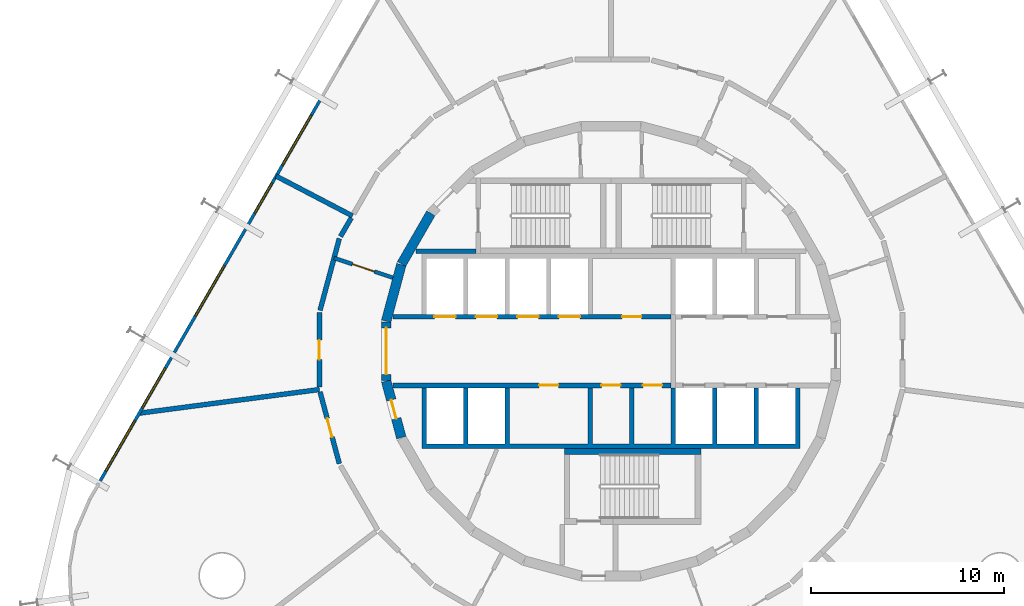
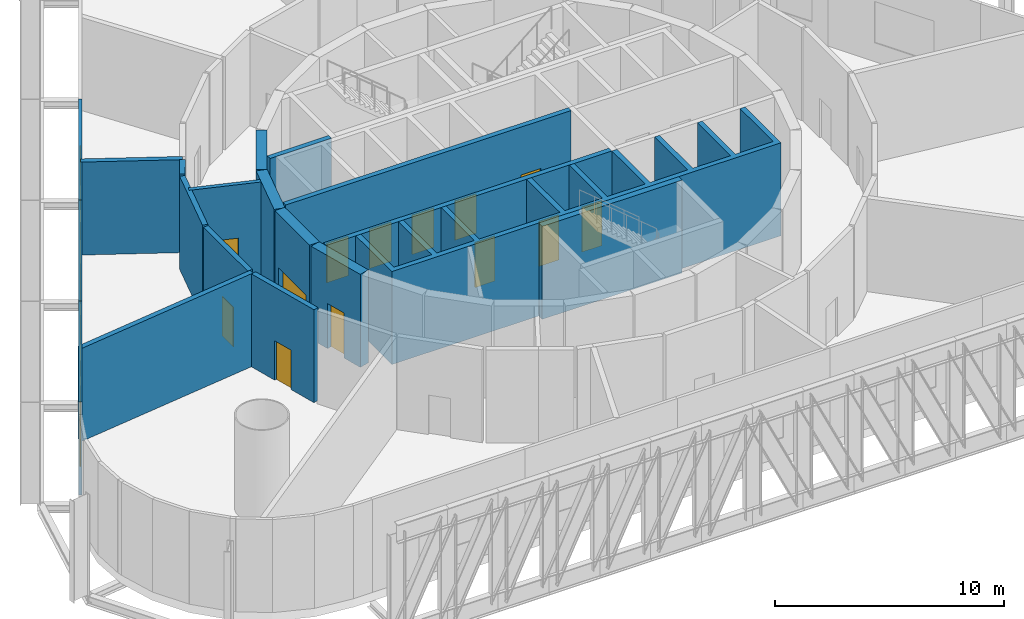
# One storey, part 6 of 11: 19 walls, 13 doors, 5 windows, 18 openings.
"""IFC4 building model written with IfcOpenShell, lengths in metres."""

from ifc_helpers import new_model, si_unit, direction, frame, frame_2d, origin, place, context, subcontext, project, spatial, polyline, rectangle, outline, extrude, material, layer, layer_set, type_object, element, fill, save


model = new_model("IFC4")

# Units and contexts
model_context = context("Model", 3, precision=1e-05, world=origin(), true_north=direction((0.0, 1.0)))
body_context = subcontext(model_context, "Body", "Model", "MODEL_VIEW")
ifc_project = project(units=[si_unit("LENGTHUNIT", "METRE"), si_unit("AREAUNIT", "SQUARE_METRE"), si_unit("VOLUMEUNIT", "CUBIC_METRE"), si_unit("PLANEANGLEUNIT", "RADIAN"), si_unit("MASSUNIT", "GRAM", prefix="KILO")], contexts=[model_context])

# Site, building, storey
site_placement = place(None, origin())
site = spatial("IfcSite", under=ifc_project, at=site_placement, CompositionType="ELEMENT")
building_placement = place(site_placement, origin())
building = spatial("IfcBuilding", under=site, at=building_placement, Name="Spindle Arch Residences", CompositionType="ELEMENT")
storey_placement = place(building_placement, frame((0.0, 0.0, 33.0)))
storey = spatial("IfcBuildingStorey", under=building, at=storey_placement, Name="L06", CompositionType="ELEMENT", Elevation=33.0)

# Walls
ifc_material_1 = material(Name="Concrete C50/60", Category="concrete")
ifc_layer_1 = layer(ifc_material_1, 0.5)
ifc_layer_set_1 = layer_set([ifc_layer_1], Name="Core outline wall 500")
wall_type_1 = type_object("IfcWallType", Name="Core outline wall 500", PredefinedType="SHEAR", material=ifc_layer_set_1)
for number, where, z_axis, x_axis, name in (
    (1, (-9.32861328125, 7.13671875, 0.0), (0.0, 0.0, 1.0), (-0.500087131594, -0.865975092491, 0.0), "Core outline wall 16"),
    (2, (-10.858154296875, 4.479248046875, 0.0), (0.0, 0.0, 1.0), (-0.258734743916, -0.965948410781, 0.0), "Core outline wall 17"),
):
    element("IfcWall", number, at=place(storey_placement, frame(where, z_axis=z_axis, x_axis=x_axis)), inside=storey, type_object=wall_type_1, Name=name, PredefinedType="SHEAR", context=body_context, shape_type="SweptSolid", body=[
        extrude(rectangle(XDim=3.03271484375, YDim=0.5, at=frame_2d((1.516357421875, 0.0))), origin(), (0.0, 0.0, 1.0), 4.949951171875),
    ])

# Wall, opening, door
wall_1_placement = place(storey_placement, frame((-11.647216796875, 1.516357421875, 0.0), z_axis=(0.0, 0.0, 1.0), x_axis=(0.0, -1.0, 0.0)))
wall_1 = element("IfcWall", 3, at=wall_1_placement, inside=storey, type_object=wall_type_1, Name="Core outline wall 18", PredefinedType="SHEAR", context=body_context, shape_type="SweptSolid", body=[
    extrude(rectangle(XDim=3.03271484375, YDim=0.5, at=frame_2d((1.516357421875, 0.0))), origin(), (0.0, 0.0, 1.0), 4.949951171875),
])
opening_1_placement = place(wall_1_placement, frame((0.31640625, 0.0, 0.0)))
opening_1 = element("IfcOpeningElement", 4, at=opening_1_placement, cuts=wall_1, Name="Opening L06-LE01", PredefinedType="OPENING", context=body_context, shape_type="SweptSolid", body=[
    extrude(rectangle(XDim=2.39990234375, YDim=2.10009765625, at=frame_2d((1.199951171875, 1.050048828125))), frame((0.0, 0.260009765625, 0.0), z_axis=(0.0, -1.0, 0.0), x_axis=(1.0, 0.0, 0.0)), (0.0, 0.0, 1.0), 0.52001953125),
])
ifc_material_2 = material(Name="Steel, fire-resisting door", Category="steel")
door_type_1 = type_object("IfcDoorType", Name="Lift lobby entrance door 2400x2100", OperationType="DOUBLE_DOOR_SINGLE_SWING", PredefinedType="DOOR", material=ifc_material_2)
door_1_placement = place(opening_1_placement, origin())
door_1 = element("IfcDoor", 5, at=door_1_placement, inside=storey, type_object=door_type_1, Name="Lift lobby entrance door L06-LE01", OperationType="DOUBLE_DOOR_SINGLE_SWING", OverallHeight=2.10009765625, OverallWidth=2.39990234375, PredefinedType="DOOR", context=body_context, shape_type="SweptSolid", body=[
    extrude(rectangle(XDim=2.39990234375, YDim=2.10009765625, at=frame_2d((1.199951171875, 1.050048828125))), frame((0.0, 0.02490234375, 0.0), z_axis=(0.0, -1.0, 0.0), x_axis=(1.0, 0.0, 0.0)), (0.0, 0.0, 1.0), 0.050048828125),
])
fill(opening_1, door_1)

wall_2_placement = place(storey_placement, frame((-11.642822265625, -1.5498046875, 0.0), z_axis=(0.0, 0.0, 1.0), x_axis=(0.258734743916, -0.965948410781, 0.0)))
wall_2 = element("IfcWall", 6, at=wall_2_placement, inside=storey, type_object=wall_type_1, Name="Core outline wall 19", PredefinedType="SHEAR", context=body_context, shape_type="SweptSolid", body=[
    extrude(rectangle(XDim=3.03271484375, YDim=0.5, at=frame_2d((1.516357421875, 0.0))), origin(), (0.0, 0.0, 1.0), 4.949951171875),
])
opening_2_placement = place(wall_2_placement, frame((1.016357421875, 0.0, 0.0)))
opening_2 = element("IfcOpeningElement", 7, at=opening_2_placement, cuts=wall_2, Name="Opening L06-PD10", PredefinedType="OPENING", context=body_context, shape_type="SweptSolid", body=[
    extrude(rectangle(XDim=1.0, YDim=2.39990234375, at=frame_2d((0.5, 1.199951171875))), frame((0.0, 0.260009765625, 0.0), z_axis=(0.0, -1.0, 0.0), x_axis=(1.0, 0.0, 0.0)), (0.0, 0.0, 1.0), 0.52001953125),
])
ifc_material_3 = material(Name="Steel, fire-resisting door", Category="steel")
door_type_2 = type_object("IfcDoorType", Name="Plant room door 1000x2400", OperationType="SINGLE_SWING_LEFT", PredefinedType="DOOR", material=ifc_material_3)
door_2_placement = place(opening_2_placement, origin())
door_2 = element("IfcDoor", 8, at=door_2_placement, inside=storey, type_object=door_type_2, Name="Plant room door L06-PD10", OperationType="SINGLE_SWING_LEFT", OverallHeight=2.39990234375, OverallWidth=1.0, PredefinedType="DOOR", context=body_context, shape_type="SweptSolid", body=[
    extrude(rectangle(XDim=1.0, YDim=2.39990234375, at=frame_2d((0.5, 1.199951171875))), frame((0.0, 0.02490234375, 0.0), z_axis=(0.0, -1.0, 0.0), x_axis=(1.0, 0.0, 0.0)), (0.0, 0.0, 1.0), 0.050048828125),
])
fill(opening_2, door_2)

# Wall, openings, windows
ifc_material_4 = material(Name="Non-combustible mineral wool insulated aluminium faced external wall (K0)", Category="aluminium")
ifc_layer_2 = layer(ifc_material_4, 0.159912109375)
ifc_layer_set_2 = layer_set([ifc_layer_2], Name="Insulated external wall panel 160")
wall_type_2 = type_object("IfcWallType", Name="Insulated external wall panel 160", PredefinedType="STANDARD", material=ifc_layer_set_2)
wall_3_placement = place(storey_placement, frame((-15.0107421875, 13.1005859375, 0.0), z_axis=(0.0, 0.0, 1.0), x_axis=(-0.500005879718, -0.866022009101, 0.0)))
wall_3 = element("IfcWall", 9, at=wall_3_placement, inside=storey, type_object=wall_type_2, Name="Plant wall L06 bay 16", PredefinedType="STANDARD", context=body_context, shape_type="SweptSolid", body=[
    extrude(rectangle(XDim=7.68017578125, YDim=0.159912109375, at=frame_2d((3.840087890625, 0.0))), origin(), (0.0, 0.0, 1.0), 4.949951171875),
])
opening_3_placement = place(wall_3_placement, frame((1.01708984375, 0.0, 1.0)))
opening_3 = element("IfcOpeningElement", 10, at=opening_3_placement, cuts=wall_3, Name="Opening LW1", PredefinedType="OPENING", context=body_context, shape_type="SweptSolid", body=[
    extrude(rectangle(XDim=3.0, YDim=2.199951171875, at=frame_2d((1.5, 1.10009765625))), frame((0.0, 0.08984375, 0.0), z_axis=(0.0, -1.0, 0.0), x_axis=(1.0, 0.0, 0.0)), (0.0, 0.0, 1.0), 0.179931640625),
])
opening_4_placement = place(wall_3_placement, frame((5.08203125, 0.0, 1.0)))
opening_4 = element("IfcOpeningElement", 11, at=opening_4_placement, cuts=wall_3, Name="Opening LW3", PredefinedType="OPENING", context=body_context, shape_type="SweptSolid", body=[
    extrude(rectangle(XDim=1.800048828125, YDim=2.199951171875, at=frame_2d((0.89990234375, 1.10009765625))), frame((0.0, 0.08984375, 0.0), z_axis=(0.0, -1.0, 0.0), x_axis=(1.0, 0.0, 0.0)), (0.0, 0.0, 1.0), 0.179931640625),
])
ifc_material_5 = material(Name="Bronze anodised aluminium fixed louvre", Category="aluminium")
window_type_1 = type_object("IfcWindowType", Name="Plant louvre opening 1800x2200", PartitioningType="SINGLE_PANEL", PredefinedType="WINDOW", material=ifc_material_5)
window_1_placement = place(opening_4_placement, origin())
window_1 = element("IfcWindow", 12, at=window_1_placement, inside=storey, type_object=window_type_1, Name="Louvre opening L06 bay 16.2", OverallHeight=2.199951171875, OverallWidth=1.800048828125, PartitioningType="SINGLE_PANEL", PredefinedType="WINDOW", context=body_context, shape_type="SweptSolid", body=[
    extrude(rectangle(XDim=1.800048828125, YDim=2.199951171875, at=frame_2d((0.89990234375, 1.10009765625))), frame((0.0, 0.030029296875, 0.0), z_axis=(0.0, -1.0, 0.0), x_axis=(1.0, 0.0, 0.0)), (0.0, 0.0, 1.0), 0.06005859375),
])
fill(opening_4, window_1)
ifc_material_6 = material(Name="Bronze anodised aluminium fixed louvre", Category="aluminium")
window_type_2 = type_object("IfcWindowType", Name="Plant louvre opening 3000x2200", PartitioningType="SINGLE_PANEL", PredefinedType="WINDOW", material=ifc_material_6)
window_2_placement = place(opening_3_placement, origin())
window_2 = element("IfcWindow", 13, at=window_2_placement, inside=storey, type_object=window_type_2, Name="Louvre opening L06 bay 16.1", OverallHeight=2.199951171875, OverallWidth=3.0, PartitioningType="SINGLE_PANEL", PredefinedType="WINDOW", context=body_context, shape_type="SweptSolid", body=[
    extrude(rectangle(XDim=3.0, YDim=2.199951171875, at=frame_2d((1.5, 1.10009765625))), frame((0.0, 0.030029296875, 0.0), z_axis=(0.0, -1.0, 0.0), x_axis=(1.0, 0.0, 0.0)), (0.0, 0.0, 1.0), 0.06005859375),
])
fill(opening_3, window_2)

# Wall, opening, window
wall_4_placement = place(storey_placement, frame((-18.850830078125, 6.449462890625, 0.0), z_axis=(0.0, 0.0, 1.0), x_axis=(-0.499982037744, -0.86603577405, 0.0)))
wall_4 = element("IfcWall", 14, at=wall_4_placement, inside=storey, type_object=wall_type_2, Name="Plant wall L06 bay 17", PredefinedType="STANDARD", context=body_context, shape_type="SweptSolid", body=[
    extrude(rectangle(XDim=7.679931640625, YDim=0.159912109375, at=frame_2d((3.83984375, 0.0))), origin(), (0.0, 0.0, 1.0), 4.949951171875),
])
opening_5_placement = place(wall_4_placement, frame((2.340087890625, 0.0, 1.0)))
opening_5 = element("IfcOpeningElement", 15, at=opening_5_placement, cuts=wall_4, Name="Opening LW1", PredefinedType="OPENING", context=body_context, shape_type="SweptSolid", body=[
    extrude(rectangle(XDim=3.0, YDim=2.199951171875, at=frame_2d((1.5, 1.10009765625))), frame((0.0, 0.08984375, 0.0), z_axis=(0.0, -1.0, 0.0), x_axis=(1.0, 0.0, 0.0)), (0.0, 0.0, 1.0), 0.179931640625),
])
window_3_placement = place(opening_5_placement, origin())
window_3 = element("IfcWindow", 16, at=window_3_placement, inside=storey, type_object=window_type_2, Name="Louvre opening L06 bay 17.1", OverallHeight=2.199951171875, OverallWidth=3.0, PartitioningType="SINGLE_PANEL", PredefinedType="WINDOW", context=body_context, shape_type="SweptSolid", body=[
    extrude(rectangle(XDim=3.0, YDim=2.199951171875, at=frame_2d((1.5, 1.10009765625))), frame((0.0, 0.030029296875, 0.0), z_axis=(0.0, -1.0, 0.0), x_axis=(1.0, 0.0, 0.0)), (0.0, 0.0, 1.0), 0.06005859375),
])
fill(opening_5, window_3)

# Wall, openings, windows
wall_5_placement = place(storey_placement, frame((-22.690673828125, -0.20166015625, 0.0), z_axis=(0.0, 0.0, 1.0), x_axis=(-0.500005879718, -0.866022009101, 0.0)))
wall_5 = element("IfcWall", 17, at=wall_5_placement, inside=storey, type_object=wall_type_2, Name="Plant wall L06 bay 18", PredefinedType="STANDARD", context=body_context, shape_type="SweptSolid", body=[
    extrude(rectangle(XDim=7.68017578125, YDim=0.159912109375, at=frame_2d((3.840087890625, 0.0))), origin(), (0.0, 0.0, 1.0), 4.949951171875),
])
opening_6_placement = place(wall_5_placement, frame((0.772216796875, 0.0, 1.0)))
opening_6 = element("IfcOpeningElement", 18, at=opening_6_placement, cuts=wall_5, Name="Opening LW2", PredefinedType="OPENING", context=body_context, shape_type="SweptSolid", body=[
    extrude(rectangle(XDim=2.39990234375, YDim=2.199951171875, at=frame_2d((1.199951171875, 1.10009765625))), frame((0.0, 0.08984375, 0.0), z_axis=(0.0, -1.0, 0.0), x_axis=(1.0, 0.0, 0.0)), (0.0, 0.0, 1.0), 0.179931640625),
])
opening_7_placement = place(wall_5_placement, frame((3.937255859375, 0.0, 1.0)))
opening_7 = element("IfcOpeningElement", 19, at=opening_7_placement, cuts=wall_5, Name="Opening LW1", PredefinedType="OPENING", context=body_context, shape_type="SweptSolid", body=[
    extrude(rectangle(XDim=3.0, YDim=2.199951171875, at=frame_2d((1.5, 1.10009765625))), frame((0.0, 0.08984375, 0.0), z_axis=(0.0, -1.0, 0.0), x_axis=(1.0, 0.0, 0.0)), (0.0, 0.0, 1.0), 0.179931640625),
])
ifc_material_7 = material(Name="Bronze anodised aluminium fixed louvre", Category="aluminium")
window_type_3 = type_object("IfcWindowType", Name="Plant louvre opening 2400x2200", PartitioningType="SINGLE_PANEL", PredefinedType="WINDOW", material=ifc_material_7)
window_4_placement = place(opening_6_placement, origin())
window_4 = element("IfcWindow", 20, at=window_4_placement, inside=storey, type_object=window_type_3, Name="Louvre opening L06 bay 18.1", OverallHeight=2.199951171875, OverallWidth=2.39990234375, PartitioningType="SINGLE_PANEL", PredefinedType="WINDOW", context=body_context, shape_type="SweptSolid", body=[
    extrude(rectangle(XDim=2.39990234375, YDim=2.199951171875, at=frame_2d((1.199951171875, 1.10009765625))), frame((0.0, 0.030029296875, 0.0), z_axis=(0.0, -1.0, 0.0), x_axis=(1.0, 0.0, 0.0)), (0.0, 0.0, 1.0), 0.06005859375),
])
fill(opening_6, window_4)
window_5_placement = place(opening_7_placement, origin())
window_5 = element("IfcWindow", 21, at=window_5_placement, inside=storey, type_object=window_type_2, Name="Louvre opening L06 bay 18.2", OverallHeight=2.199951171875, OverallWidth=3.0, PartitioningType="SINGLE_PANEL", PredefinedType="WINDOW", context=body_context, shape_type="SweptSolid", body=[
    extrude(rectangle(XDim=3.0, YDim=2.199951171875, at=frame_2d((1.5, 1.10009765625))), frame((0.0, 0.030029296875, 0.0), z_axis=(0.0, -1.0, 0.0), x_axis=(1.0, 0.0, 0.0)), (0.0, 0.0, 1.0), 0.06005859375),
])
fill(opening_7, window_5)

# Wall, openings, doors
ifc_material_8 = material(Name="Concrete C50/60", Category="concrete")
ifc_layer_3 = layer(ifc_material_8, 0.25)
ifc_layer_set_3 = layer_set([ifc_layer_3], Name="Lift shaft wall 250")
wall_type_3 = type_object("IfcWallType", Name="Lift shaft wall 250", PredefinedType="SHEAR", material=ifc_layer_set_3)
wall_6_placement = place(storey_placement, frame((-11.280029296875, 1.77490234375, 0.0), z_axis=(0.0, 0.0, 1.0), x_axis=(1.0, 0.0, 0.0)))
wall_6 = element("IfcWall", 22, at=wall_6_placement, inside=storey, type_object=wall_type_3, Name="Lift shaft front wall NW", PredefinedType="SHEAR", context=body_context, shape_type="SweptSolid", body=[
    extrude(rectangle(XDim=14.380126953125, YDim=0.25, at=frame_2d((7.18994140625, 0.0))), origin(), (0.0, 0.0, 1.0), 4.949951171875),
])
opening_8_placement = place(wall_6_placement, frame((2.1298828125, 0.0, 0.0)))
opening_8 = element("IfcOpeningElement", 23, at=opening_8_placement, cuts=wall_6, Name="Opening L06-LD01", PredefinedType="OPENING", context=body_context, shape_type="SweptSolid", body=[
    extrude(rectangle(XDim=1.10009765625, YDim=2.10009765625, at=frame_2d((0.550048828125, 1.050048828125))), frame((0.0, 0.135009765625, 0.0), z_axis=(0.0, -1.0, 0.0), x_axis=(1.0, 0.0, 0.0)), (0.0, 0.0, 1.0), 0.27001953125),
])
opening_9_placement = place(wall_6_placement, frame((4.280029296875, 0.0, 0.0)))
opening_9 = element("IfcOpeningElement", 24, at=opening_9_placement, cuts=wall_6, Name="Opening L06-LD02", PredefinedType="OPENING", context=body_context, shape_type="SweptSolid", body=[
    extrude(rectangle(XDim=1.10009765625, YDim=2.10009765625, at=frame_2d((0.550048828125, 1.050048828125))), frame((0.0, 0.135009765625, 0.0), z_axis=(0.0, -1.0, 0.0), x_axis=(1.0, 0.0, 0.0)), (0.0, 0.0, 1.0), 0.27001953125),
])
opening_10_placement = place(wall_6_placement, frame((6.429931640625, 0.0, 0.0)))
opening_10 = element("IfcOpeningElement", 25, at=opening_10_placement, cuts=wall_6, Name="Opening L06-LD03", PredefinedType="OPENING", context=body_context, shape_type="SweptSolid", body=[
    extrude(rectangle(XDim=1.10009765625, YDim=2.10009765625, at=frame_2d((0.550048828125, 1.050048828125))), frame((0.0, 0.135009765625, 0.0), z_axis=(0.0, -1.0, 0.0), x_axis=(1.0, 0.0, 0.0)), (0.0, 0.0, 1.0), 0.27001953125),
])
opening_11_placement = place(wall_6_placement, frame((8.580078125, 0.0, 0.0)))
opening_11 = element("IfcOpeningElement", 26, at=opening_11_placement, cuts=wall_6, Name="Opening L06-LD04", PredefinedType="OPENING", context=body_context, shape_type="SweptSolid", body=[
    extrude(rectangle(XDim=1.10009765625, YDim=2.10009765625, at=frame_2d((0.550048828125, 1.050048828125))), frame((0.0, 0.135009765625, 0.0), z_axis=(0.0, -1.0, 0.0), x_axis=(1.0, 0.0, 0.0)), (0.0, 0.0, 1.0), 0.27001953125),
])
opening_12_placement = place(wall_6_placement, frame((11.85498046875, 0.0, 0.0)))
opening_12 = element("IfcOpeningElement", 27, at=opening_12_placement, cuts=wall_6, Name="Opening L06-PD01", PredefinedType="OPENING", context=body_context, shape_type="SweptSolid", body=[
    extrude(rectangle(XDim=1.0, YDim=2.39990234375, at=frame_2d((0.5, 1.199951171875))), frame((0.0, 0.135009765625, 0.0), z_axis=(0.0, -1.0, 0.0), x_axis=(1.0, 0.0, 0.0)), (0.0, 0.0, 1.0), 0.27001953125),
])
ifc_material_9 = material(Name="Steel, fire-resisting landing door", Category="steel")
door_type_3 = type_object("IfcDoorType", Name="Lift landing door 1100x2100", OperationType="DOUBLE_DOOR_SLIDING", PredefinedType="DOOR", material=ifc_material_9)
door_3_placement = place(opening_8_placement, origin())
door_3 = element("IfcDoor", 28, at=door_3_placement, inside=storey, type_object=door_type_3, Name="Lift landing door L06-LD01", OperationType="DOUBLE_DOOR_SLIDING", OverallHeight=2.10009765625, OverallWidth=1.10009765625, PredefinedType="DOOR", context=body_context, shape_type="SweptSolid", body=[
    extrude(rectangle(XDim=1.10009765625, YDim=2.10009765625, at=frame_2d((0.550048828125, 1.050048828125))), frame((0.0, 0.02490234375, 0.0), z_axis=(0.0, -1.0, 0.0), x_axis=(1.0, 0.0, 0.0)), (0.0, 0.0, 1.0), 0.050048828125),
])
fill(opening_8, door_3)
door_4_placement = place(opening_9_placement, origin())
door_4 = element("IfcDoor", 29, at=door_4_placement, inside=storey, type_object=door_type_3, Name="Lift landing door L06-LD02", OperationType="DOUBLE_DOOR_SLIDING", OverallHeight=2.10009765625, OverallWidth=1.10009765625, PredefinedType="DOOR", context=body_context, shape_type="SweptSolid", body=[
    extrude(rectangle(XDim=1.10009765625, YDim=2.10009765625, at=frame_2d((0.550048828125, 1.050048828125))), frame((0.0, 0.02490234375, 0.0), z_axis=(0.0, -1.0, 0.0), x_axis=(1.0, 0.0, 0.0)), (0.0, 0.0, 1.0), 0.050048828125),
])
fill(opening_9, door_4)
door_5_placement = place(opening_10_placement, origin())
door_5 = element("IfcDoor", 30, at=door_5_placement, inside=storey, type_object=door_type_3, Name="Lift landing door L06-LD03", OperationType="DOUBLE_DOOR_SLIDING", OverallHeight=2.10009765625, OverallWidth=1.10009765625, PredefinedType="DOOR", context=body_context, shape_type="SweptSolid", body=[
    extrude(rectangle(XDim=1.10009765625, YDim=2.10009765625, at=frame_2d((0.550048828125, 1.050048828125))), frame((0.0, 0.02490234375, 0.0), z_axis=(0.0, -1.0, 0.0), x_axis=(1.0, 0.0, 0.0)), (0.0, 0.0, 1.0), 0.050048828125),
])
fill(opening_10, door_5)
door_6_placement = place(opening_11_placement, origin())
door_6 = element("IfcDoor", 31, at=door_6_placement, inside=storey, type_object=door_type_3, Name="Lift landing door L06-LD04", OperationType="DOUBLE_DOOR_SLIDING", OverallHeight=2.10009765625, OverallWidth=1.10009765625, PredefinedType="DOOR", context=body_context, shape_type="SweptSolid", body=[
    extrude(rectangle(XDim=1.10009765625, YDim=2.10009765625, at=frame_2d((0.550048828125, 1.050048828125))), frame((0.0, 0.02490234375, 0.0), z_axis=(0.0, -1.0, 0.0), x_axis=(1.0, 0.0, 0.0)), (0.0, 0.0, 1.0), 0.050048828125),
])
fill(opening_11, door_6)
door_7_placement = place(opening_12_placement, origin())
door_7 = element("IfcDoor", 32, at=door_7_placement, inside=storey, type_object=door_type_2, Name="Plant room door L06-PD01", OperationType="SINGLE_SWING_RIGHT", OverallHeight=2.39990234375, OverallWidth=1.0, PredefinedType="DOOR", context=body_context, shape_type="SweptSolid", body=[
    extrude(rectangle(XDim=1.0, YDim=2.39990234375, at=frame_2d((0.5, 1.199951171875))), frame((0.0, 0.02490234375, 0.0), z_axis=(0.0, -1.0, 0.0), x_axis=(1.0, 0.0, 0.0)), (0.0, 0.0, 1.0), 0.050048828125),
])
fill(opening_12, door_7)

wall_7_placement = place(storey_placement, frame((-11.280029296875, -1.77490234375, 0.0), z_axis=(0.0, 0.0, 1.0), x_axis=(1.0, 0.0, 0.0)))
wall_7 = element("IfcWall", 33, at=wall_7_placement, inside=storey, type_object=wall_type_3, Name="Lift shaft front wall SW", PredefinedType="SHEAR", context=body_context, shape_type="SweptSolid", body=[
    extrude(rectangle(XDim=14.380126953125, YDim=0.25, at=frame_2d((7.18994140625, 0.0))), origin(), (0.0, 0.0, 1.0), 4.949951171875),
])
opening_13_placement = place(wall_7_placement, frame((7.554931640625, 0.0, 0.0)))
opening_13 = element("IfcOpeningElement", 34, at=opening_13_placement, cuts=wall_7, Name="Opening L06-PD03", PredefinedType="OPENING", context=body_context, shape_type="SweptSolid", body=[
    extrude(rectangle(XDim=1.0, YDim=2.39990234375, at=frame_2d((0.5, 1.199951171875))), frame((0.0, 0.135009765625, 0.0), z_axis=(0.0, -1.0, 0.0), x_axis=(1.0, 0.0, 0.0)), (0.0, 0.0, 1.0), 0.27001953125),
])
opening_14_placement = place(wall_7_placement, frame((10.780029296875, 0.0, 0.0)))
opening_14 = element("IfcOpeningElement", 35, at=opening_14_placement, cuts=wall_7, Name="Opening L06-PD04", PredefinedType="OPENING", context=body_context, shape_type="SweptSolid", body=[
    extrude(rectangle(XDim=1.0, YDim=2.39990234375, at=frame_2d((0.5, 1.199951171875))), frame((0.0, 0.135009765625, 0.0), z_axis=(0.0, -1.0, 0.0), x_axis=(1.0, 0.0, 0.0)), (0.0, 0.0, 1.0), 0.27001953125),
])
opening_15_placement = place(wall_7_placement, frame((12.929931640625, 0.0, 0.0)))
opening_15 = element("IfcOpeningElement", 36, at=opening_15_placement, cuts=wall_7, Name="Opening L06-PD05", PredefinedType="OPENING", context=body_context, shape_type="SweptSolid", body=[
    extrude(rectangle(XDim=1.0, YDim=2.39990234375, at=frame_2d((0.5, 1.199951171875))), frame((0.0, 0.135009765625, 0.0), z_axis=(0.0, -1.0, 0.0), x_axis=(1.0, 0.0, 0.0)), (0.0, 0.0, 1.0), 0.27001953125),
])
door_8_placement = place(opening_13_placement, origin())
door_8 = element("IfcDoor", 37, at=door_8_placement, inside=storey, type_object=door_type_2, Name="Plant room door L06-PD03", OperationType="SINGLE_SWING_RIGHT", OverallHeight=2.39990234375, OverallWidth=1.0, PredefinedType="DOOR", context=body_context, shape_type="SweptSolid", body=[
    extrude(rectangle(XDim=1.0, YDim=2.39990234375, at=frame_2d((0.5, 1.199951171875))), frame((0.0, 0.02490234375, 0.0), z_axis=(0.0, -1.0, 0.0), x_axis=(1.0, 0.0, 0.0)), (0.0, 0.0, 1.0), 0.050048828125),
])
fill(opening_13, door_8)
door_9_placement = place(opening_14_placement, origin())
door_9 = element("IfcDoor", 38, at=door_9_placement, inside=storey, type_object=door_type_2, Name="Plant room door L06-PD04", OperationType="SINGLE_SWING_LEFT", OverallHeight=2.39990234375, OverallWidth=1.0, PredefinedType="DOOR", context=body_context, shape_type="SweptSolid", body=[
    extrude(rectangle(XDim=1.0, YDim=2.39990234375, at=frame_2d((0.5, 1.199951171875))), frame((0.0, 0.02490234375, 0.0), z_axis=(0.0, -1.0, 0.0), x_axis=(1.0, 0.0, 0.0)), (0.0, 0.0, 1.0), 0.050048828125),
])
fill(opening_14, door_9)
door_10_placement = place(opening_15_placement, origin())
door_10 = element("IfcDoor", 39, at=door_10_placement, inside=storey, type_object=door_type_2, Name="Plant room door L06-PD05", OperationType="SINGLE_SWING_RIGHT", OverallHeight=2.39990234375, OverallWidth=1.0, PredefinedType="DOOR", context=body_context, shape_type="SweptSolid", body=[
    extrude(rectangle(XDim=1.0, YDim=2.39990234375, at=frame_2d((0.5, 1.199951171875))), frame((0.0, 0.02490234375, 0.0), z_axis=(0.0, -1.0, 0.0), x_axis=(1.0, 0.0, 0.0)), (0.0, 0.0, 1.0), 0.050048828125),
])
fill(opening_15, door_10)

# Wall
ifc_material_10 = material(Name="Concrete C50/60", Category="concrete")
wall_type_4 = type_object("IfcWallType", Name="Lift shaft wall profile", PredefinedType="SHEAR", material=ifc_material_10)
wall_8_placement = place(storey_placement, origin())
element("IfcWall", 40, at=wall_8_placement, inside=storey, type_object=wall_type_4, Name="Lift shaft walls S", PredefinedType="SHEAR", context=body_context, shape_type="SweptSolid", body=[
    extrude(outline(polyline([(9.800048828125, -5.050048828125), (9.800048828125, -4.800048828125), (9.800048828125, -1.89990234375), (9.550048828125, -1.89990234375), (9.550048828125, -4.800048828125), (7.64990234375, -4.800048828125), (7.64990234375, -1.89990234375), (7.39990234375, -1.89990234375), (7.39990234375, -4.800048828125), (5.5, -4.800048828125), (5.5, -1.89990234375), (5.25, -1.89990234375), (5.25, -4.800048828125), (3.35009765625, -4.800048828125), (3.35009765625, -1.89990234375), (3.10009765625, -1.89990234375), (3.10009765625, -4.800048828125), (1.199951171875, -4.800048828125), (1.199951171875, -1.89990234375), (0.949951171875, -1.89990234375), (0.949951171875, -4.800048828125), (-0.949951171875, -4.800048828125), (-0.949951171875, -1.89990234375), (-1.199951171875, -1.89990234375), (-1.199951171875, -4.800048828125), (-5.25, -4.800048828125), (-5.25, -1.89990234375), (-5.5, -1.89990234375), (-5.5, -4.800048828125), (-7.39990234375, -4.800048828125), (-7.39990234375, -1.89990234375), (-7.64990234375, -1.89990234375), (-7.64990234375, -4.800048828125), (-9.550048828125, -4.800048828125), (-9.550048828125, -1.89990234375), (-9.800048828125, -1.89990234375), (-9.800048828125, -4.800048828125), (-9.800048828125, -5.050048828125), (9.800048828125, -5.050048828125)])), origin(), (0.0, 0.0, 1.0), 4.949951171875),
])

# Wall, opening, door
ifc_material_11 = material(Name="Concrete C25/30 wall", Category="concrete")
ifc_layer_4 = layer(ifc_material_11, 0.25)
ifc_layer_set_4 = layer_set([ifc_layer_4], Name="Partition EI 120 250 plant")
wall_type_5 = type_object("IfcWallType", Name="Partition EI 120 250 plant", PredefinedType="PARTITIONING", material=ifc_layer_set_4)
wall_9_placement = place(storey_placement, frame((-15.067626953125, -2.11083984375, 0.0), z_axis=(0.0, 0.0, 1.0), x_axis=(0.259059323171, -0.965861411942, 0.0)))
wall_9 = element("IfcWall", 41, at=wall_9_placement, inside=storey, type_object=wall_type_5, Name="L06-W002", PredefinedType="PARTITIONING", context=body_context, shape_type="SweptSolid", body=[
    extrude(rectangle(XDim=3.8505859375, YDim=0.25, at=frame_2d((1.92529296875, 0.0))), origin(), (0.0, 0.0, 1.0), 4.949951171875),
])
opening_16_placement = place(wall_9_placement, frame((1.42529296875, 0.0, 0.0)))
opening_16 = element("IfcOpeningElement", 42, at=opening_16_placement, cuts=wall_9, Name="Opening L06-D05", PredefinedType="OPENING", context=body_context, shape_type="SweptSolid", body=[
    extrude(rectangle(XDim=1.0, YDim=2.10009765625, at=frame_2d((0.5, 1.050048828125))), frame((0.0, 0.135009765625, 0.0), z_axis=(0.0, -1.0, 0.0), x_axis=(1.0, 0.0, 0.0)), (0.0, 0.0, 1.0), 0.27001953125),
])
ifc_material_12 = material(Name="Steel door leaf, painted", Category="steel")
door_type_4 = type_object("IfcDoorType", Name="Door 1000x2100 EI 60", OperationType="SINGLE_SWING_LEFT", PredefinedType="DOOR", material=ifc_material_12)
door_11_placement = place(opening_16_placement, origin())
door_11 = element("IfcDoor", 43, at=door_11_placement, inside=storey, type_object=door_type_4, Name="L06-D05", OperationType="SINGLE_SWING_LEFT", OverallHeight=2.10009765625, OverallWidth=1.0, PredefinedType="DOOR", context=body_context, shape_type="SweptSolid", body=[
    extrude(rectangle(XDim=1.0, YDim=2.10009765625, at=frame_2d((0.5, 1.050048828125))), frame((0.0, 0.02490234375, 0.0), z_axis=(0.0, -1.0, 0.0), x_axis=(1.0, 0.0, 0.0)), (0.0, 0.0, 1.0), 0.050048828125),
])
fill(opening_16, door_11)

# Wall
ifc_material_13 = material(Name="Concrete C25/30 wall", Category="concrete")
ifc_layer_5 = layer(ifc_material_13, 0.25)
ifc_layer_set_5 = layer_set([ifc_layer_5], Name="Partition EI 180 250 generator")
wall_type_6 = type_object("IfcWallType", Name="Partition EI 180 250 generator", PredefinedType="PARTITIONING", material=ifc_layer_set_5)
wall_10_placement = place(storey_placement, frame((-15.10009765625, -1.989990234375, 0.0), z_axis=(0.0, 0.0, 1.0), x_axis=(-0.991465922176, -0.130366119689, 0.0)))
element("IfcWall", 44, at=wall_10_placement, inside=storey, type_object=wall_type_6, Name="L06-W001", PredefinedType="PARTITIONING", context=body_context, shape_type="SweptSolid", body=[
    extrude(rectangle(XDim=9.43115234375, YDim=0.25, at=frame_2d((4.715576171875, 0.0))), origin(), (0.0, 0.0, 1.0), 4.949951171875),
])

# Wall, opening, door
wall_11_placement = place(storey_placement, frame((-15.10009765625, 1.989990234375, 0.0), z_axis=(0.0, 0.0, 1.0), x_axis=(0.0, -1.0, 0.0)))
wall_11 = element("IfcWall", 45, at=wall_11_placement, inside=storey, type_object=wall_type_6, Name="L06-W003", PredefinedType="PARTITIONING", context=body_context, shape_type="SweptSolid", body=[
    extrude(rectangle(XDim=3.85498046875, YDim=0.25, at=frame_2d((1.927490234375, 0.0))), origin(), (0.0, 0.0, 1.0), 4.949951171875),
])
opening_17_placement = place(wall_11_placement, frame((1.427490234375, 0.0, 0.0)))
opening_17 = element("IfcOpeningElement", 46, at=opening_17_placement, cuts=wall_11, Name="Opening L06-D07", PredefinedType="OPENING", context=body_context, shape_type="SweptSolid", body=[
    extrude(rectangle(XDim=1.0, YDim=2.10009765625, at=frame_2d((0.5, 1.050048828125))), frame((0.0, 0.135009765625, 0.0), z_axis=(0.0, -1.0, 0.0), x_axis=(1.0, 0.0, 0.0)), (0.0, 0.0, 1.0), 0.27001953125),
])
door_12_placement = place(opening_17_placement, origin())
door_12 = element("IfcDoor", 47, at=door_12_placement, inside=storey, type_object=door_type_4, Name="L06-D07", OperationType="SINGLE_SWING_LEFT", OverallHeight=2.10009765625, OverallWidth=1.0, PredefinedType="DOOR", context=body_context, shape_type="SweptSolid", body=[
    extrude(rectangle(XDim=1.0, YDim=2.10009765625, at=frame_2d((0.5, 1.050048828125))), frame((0.0, 0.02490234375, 0.0), z_axis=(0.0, -1.0, 0.0), x_axis=(1.0, 0.0, 0.0)), (0.0, 0.0, 1.0), 0.050048828125),
])
fill(opening_17, door_12)

# Walls
wall_12_placement = place(storey_placement, frame((-14.070068359375, 5.830078125, 0.0), z_axis=(0.0, 0.0, 1.0), x_axis=(-0.259059323171, -0.965861411942, 0.0)))
element("IfcWall", 48, at=wall_12_placement, inside=storey, type_object=wall_type_6, Name="L06-W005", PredefinedType="PARTITIONING", context=body_context, shape_type="SweptSolid", body=[
    extrude(rectangle(XDim=3.8505859375, YDim=0.25, at=frame_2d((1.92529296875, 0.0))), origin(), (0.0, 0.0, 1.0), 4.949951171875),
])
wall_13_placement = place(storey_placement, frame((-13.389892578125, 7.0, 0.0), z_axis=(0.0, 0.0, 1.0), x_axis=(-0.886352204499, 0.46301163007, 0.0)))
element("IfcWall", 49, at=wall_13_placement, inside=storey, type_object=wall_type_6, Name="L06-W006", PredefinedType="PARTITIONING", context=body_context, shape_type="SweptSolid", body=[
    extrude(rectangle(XDim=4.45556640625, YDim=0.25, at=frame_2d((2.227783203125, 0.0))), origin(), (0.0, 0.0, 1.0), 4.949951171875),
])
wall_14_placement = place(storey_placement, frame((-13.452880859375, 6.891845703125, 0.0), z_axis=(0.0, 0.0, 1.0), x_axis=(-0.502370413152, -0.864652512857, 0.0)))
element("IfcWall", 50, at=wall_14_placement, inside=storey, type_object=wall_type_6, Name="L06-W007", PredefinedType="PARTITIONING", context=body_context, shape_type="SweptSolid", body=[
    extrude(rectangle(XDim=1.103271484375, YDim=0.25, at=frame_2d((0.5517578125, 0.0))), origin(), (0.0, 0.0, 1.0), 4.949951171875),
])

# Wall, opening, door
ifc_material_14 = material(Name="Gypsum board partition on steel studs", Category="steel")
ifc_layer_6 = layer(ifc_material_14, 0.199951171875)
ifc_layer_set_6 = layer_set([ifc_layer_6], Name="Partition EI 60 200 amenity")
wall_type_7 = type_object("IfcWallType", Name="Partition EI 60 200 amenity", PredefinedType="PARTITIONING", material=ifc_layer_set_6)
wall_15_placement = place(storey_placement, frame((-11.300048828125, 3.800048828125, 0.0), z_axis=(0.0, 0.0, 1.0), x_axis=(-0.94805712629, 0.318100118345, 0.0)))
wall_15 = element("IfcWall", 51, at=wall_15_placement, inside=storey, type_object=wall_type_7, Name="L06-W011", PredefinedType="PARTITIONING", context=body_context, shape_type="SweptSolid", body=[
    extrude(rectangle(XDim=3.20654296875, YDim=0.199951171875, at=frame_2d((1.603271484375, 0.0))), origin(), (0.0, 0.0, 1.0), 4.949951171875),
])
opening_18_placement = place(wall_15_placement, frame((1.00341796875, 0.0, 0.0)))
opening_18 = element("IfcOpeningElement", 52, at=opening_18_placement, cuts=wall_15, Name="Opening L06-D15", PredefinedType="OPENING", context=body_context, shape_type="SweptSolid", body=[
    extrude(rectangle(XDim=1.199951171875, YDim=2.10009765625, at=frame_2d((0.60009765625, 1.050048828125))), frame((0.0, 0.10986328125, 0.0), z_axis=(0.0, -1.0, 0.0), x_axis=(1.0, 0.0, 0.0)), (0.0, 0.0, 1.0), 0.219970703125),
])
ifc_material_15 = material(Name="Steel door leaf, painted", Category="steel")
door_type_5 = type_object("IfcDoorType", Name="Door 1200x2100 EI 60", OperationType="SINGLE_SWING_LEFT", PredefinedType="DOOR", material=ifc_material_15)
door_13_placement = place(opening_18_placement, origin())
door_13 = element("IfcDoor", 53, at=door_13_placement, inside=storey, type_object=door_type_5, Name="L06-D15", OperationType="SINGLE_SWING_LEFT", OverallHeight=2.10009765625, OverallWidth=1.199951171875, PredefinedType="DOOR", context=body_context, shape_type="SweptSolid", body=[
    extrude(rectangle(XDim=1.199951171875, YDim=2.10009765625, at=frame_2d((0.60009765625, 1.050048828125))), frame((0.0, 0.02490234375, 0.0), z_axis=(0.0, -1.0, 0.0), x_axis=(1.0, 0.0, 0.0)), (0.0, 0.0, 1.0), 0.050048828125),
])
fill(opening_18, door_13)

# Walls
ifc_material_16 = material(Name="Concrete C40/50", Category="concrete")
ifc_layer_7 = layer(ifc_material_16, 0.25)
ifc_layer_set_7 = layer_set([ifc_layer_7], Name="Stair airlock wall 250")
wall_type_8 = type_object("IfcWallType", Name="Stair airlock wall 250", PredefinedType="SHEAR", material=ifc_layer_set_7)
wall_16_placement = place(storey_placement, frame((-7.0, 5.175048828125, 0.0), z_axis=(0.0, 0.0, 1.0), x_axis=(-1.0, 0.0, 0.0)))
element("IfcWall", 54, at=wall_16_placement, inside=storey, type_object=wall_type_8, Name="Stair ST-2 airlock wall S", PredefinedType="SHEAR", context=body_context, shape_type="SweptSolid", body=[
    extrude(rectangle(XDim=3.10009765625, YDim=0.25, at=frame_2d((1.550048828125, 0.0))), origin(), (0.0, 0.0, 1.0), 4.949951171875),
])
ifc_material_17 = material(Name="Concrete C50/60", Category="concrete")
ifc_layer_8 = layer(ifc_material_17, 0.300048828125)
ifc_layer_set_8 = layer_set([ifc_layer_8], Name="Stair enclosure wall 300")
wall_type_9 = type_object("IfcWallType", Name="Stair enclosure wall 300", PredefinedType="SHEAR", material=ifc_layer_set_8)
wall_17_placement = place(storey_placement, frame((-2.39990234375, -5.199951171875, 0.0), z_axis=(0.0, 0.0, 1.0), x_axis=(1.0, 0.0, 0.0)))
element("IfcWall", 55, at=wall_17_placement, inside=storey, type_object=wall_type_9, Name="Stair ST-3 enclosure wall N", PredefinedType="SHEAR", context=body_context, shape_type="SweptSolid", body=[
    extrude(rectangle(XDim=7.0498046875, YDim=0.300048828125, at=frame_2d((3.52490234375, 0.0))), origin(), (0.0, 0.0, 1.0), 4.949951171875),
])

save(model, "model.ifc")
